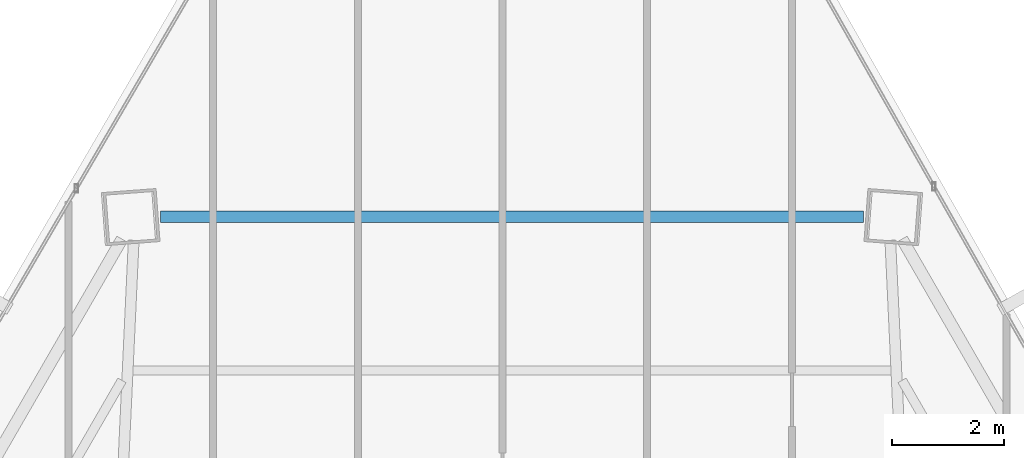
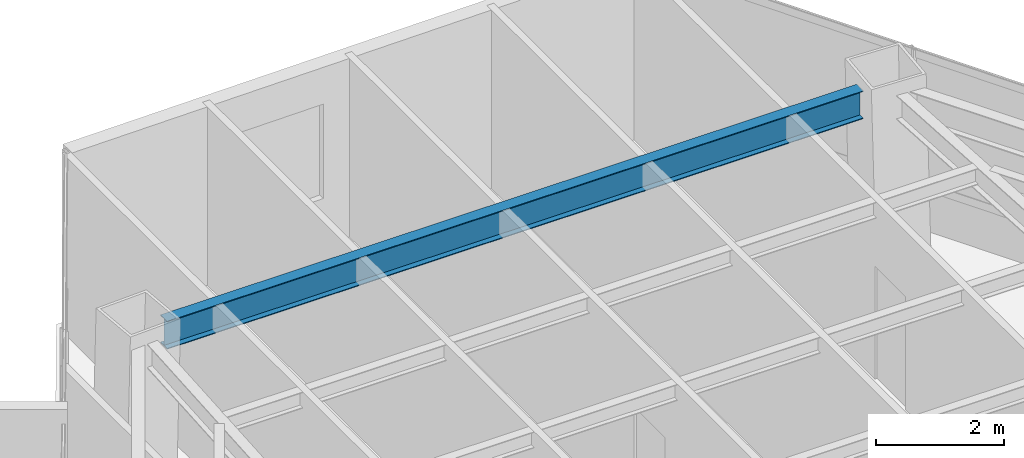
# One storey, part 29 of 42: 1 beam.
"""IFC4 building model written with IfcOpenShell, lengths in metres."""

from ifc_helpers import new_model, si_unit, direction, frame, origin, origin_2d, place, context, subcontext, project, spatial, i_section, extrude, source, transform, mapped, material, material_profile, profile_set, type_object, type_shapes, element, save


model = new_model("IFC4")

# Units and contexts
model_context = context("Model", 3, precision=1e-05, world=origin(), true_north=direction((0.0, 1.0)))
body_context = subcontext(model_context, "Body", "Model", "MODEL_VIEW")
ifc_project = project(units=[si_unit("LENGTHUNIT", "METRE"), si_unit("AREAUNIT", "SQUARE_METRE"), si_unit("VOLUMEUNIT", "CUBIC_METRE"), si_unit("PLANEANGLEUNIT", "RADIAN"), si_unit("MASSUNIT", "GRAM", prefix="KILO")], contexts=[model_context])

# Site, building, storey
site_placement = place(None, origin())
site = spatial("IfcSite", under=ifc_project, at=site_placement, CompositionType="ELEMENT")
building_placement = place(site_placement, origin())
building = spatial("IfcBuilding", under=site, at=building_placement, Name="Caelisora Broadcast Tower", CompositionType="ELEMENT")
storey_placement = place(building_placement, frame((0.0, 0.0, 131.800048828125)))
storey = spatial("IfcBuildingStorey", under=building, at=storey_placement, Name="L34", CompositionType="ELEMENT", Elevation=131.800048828125)

# Beam
ifc_material = material(Name="Steel Grade 350 (AS/NZS 3679.1)", Category="steel")
ifc_material_profile = material_profile(ifc_material, i_section(OverallWidth=0.208984375, OverallDepth=0.532958984375, WebThickness=0.01025390625, FlangeThickness=0.015625, at=origin_2d()), Name="Steel Grade 350 (AS/NZS 3679.1)")
ifc_profile_set = profile_set([ifc_material_profile], Name="Steel Grade 350 (AS/NZS 3679.1)")
beam_type = type_object("IfcBeamType", Name="PG05", PredefinedType="BEAM", material=ifc_profile_set)
shared_shape = source(origin(), body_context, "Body", "SweptSolid", [
    extrude(i_section(OverallWidth=0.208984375, OverallDepth=0.532958984375, WebThickness=0.01025390625, FlangeThickness=0.015625, at=origin_2d()), origin(), (0.0, 0.0, 1.0), 12.55029296875),
])
type_shapes(beam_type, [shared_shape])
beam_placement = place(storey_placement, frame((44.275146484375, 46.4619140625, 3.133544921875), z_axis=(-1.0, 0.0, 0.0), x_axis=(0.0, -1.0, 0.0)))
element("IfcBeam", 1, at=beam_placement, inside=storey, type_object=beam_type, Name="L34 beam PG05", PredefinedType="BEAM", context=body_context, shape_type="MappedRepresentation", body=[
    mapped(shared_shape, transform((0.0, 0.0, 0.0), scale=1.0)),
])

save(model, "model.ifc")
